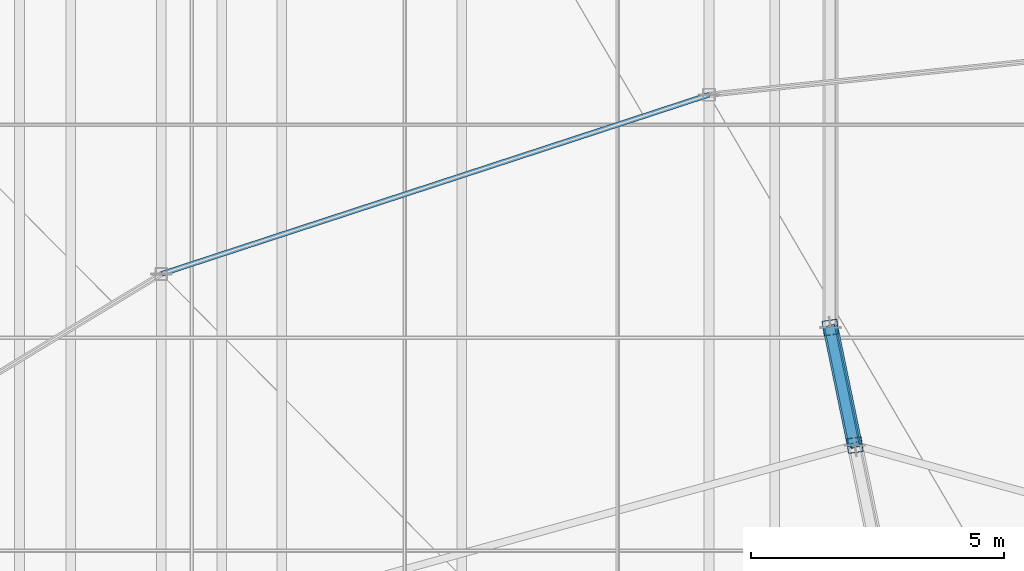
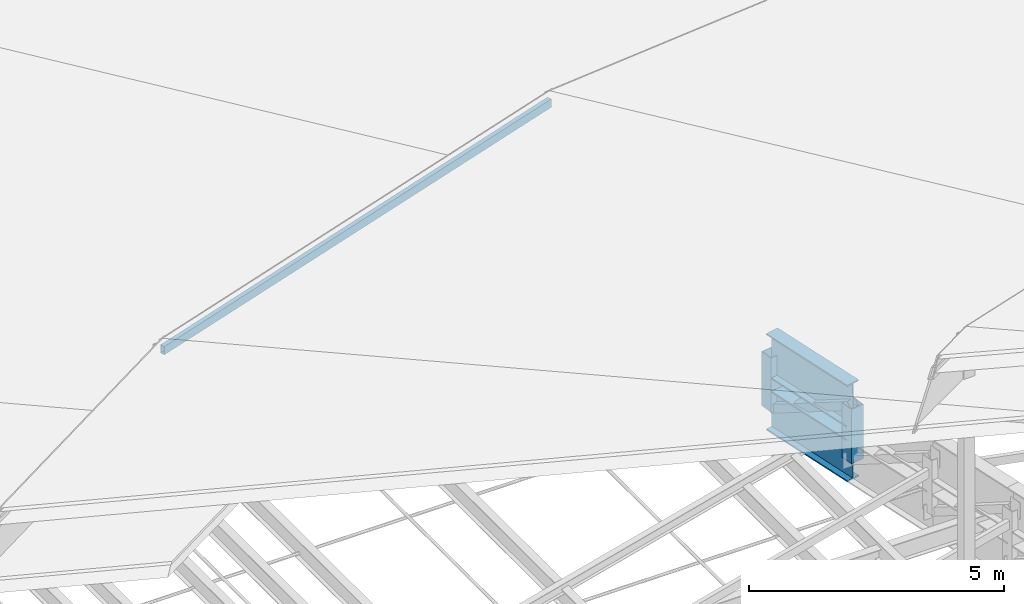
# One storey, part 114 of 184: 4 members, 2 beams.
"""IFC4 building model written with IfcOpenShell, lengths in metres."""

from ifc_helpers import new_model, si_unit, direction, frame, origin, origin_2d, place, context, subcontext, project, spatial, hollow_rectangle, i_section, extrude, material, material_profile, profile_set, type_object, element, save


model = new_model("IFC4")

# Units and contexts
model_context = context("Model", 3, precision=1e-05, world=origin(), true_north=direction((0.0, 1.0)))
body_context = subcontext(model_context, "Body", "Model", "MODEL_VIEW")
ifc_project = project(units=[si_unit("LENGTHUNIT", "METRE"), si_unit("AREAUNIT", "SQUARE_METRE"), si_unit("VOLUMEUNIT", "CUBIC_METRE"), si_unit("PLANEANGLEUNIT", "RADIAN"), si_unit("MASSUNIT", "GRAM", prefix="KILO")], contexts=[model_context])

# Site, building, storey
site_placement = place(None, origin())
site = spatial("IfcSite", under=ifc_project, at=site_placement, CompositionType="ELEMENT")
building_placement = place(site_placement, origin())
building = spatial("IfcBuilding", under=site, at=building_placement, Name="Kalgoora Escarpment Arena", CompositionType="ELEMENT")
storey_placement = place(building_placement, frame((0.0, 0.0, 27.60009765625)))
storey = spatial("IfcBuildingStorey", under=building, at=storey_placement, Name="Roof Level", CompositionType="ELEMENT", Elevation=27.60009765625)

# Beams
ifc_material_1 = material(Name="Structural steel Grade 350 (350 MPa)", Category="steel")
ifc_material_profile_1 = material_profile(ifc_material_1, i_section(OverallWidth=0.300048828125, OverallDepth=1.010009765625, WebThickness=0.01611328125, FlangeThickness=0.030029296875, at=origin_2d()))
ifc_profile_set_1 = profile_set([ifc_material_profile_1], Name="Structural steel Grade 350 (350 MPa)")
beam_type = type_object("IfcBeamType", Name="BM-TRUSS-CHORD", PredefinedType="USERDEFINED", material=ifc_profile_set_1)
for number, where, z_axis, x_axis, name in (
    (1, (92.397705078125, 93.61181640625, -1.650146484375), (0.202507307037, -0.979278408187, 0.002142394684), (0.979280655568, 0.202507771779, 0.0), "Radial ROOF TRUSS spine 3 bottom chord 2"),
    (2, (92.397705078125, 93.61181640625, -0.35009765625), (0.202506000299, -0.979272089104, 0.004182743583), (0.979280655568, 0.202507771779, 0.0), "Radial ROOF TRUSS spine 3 top chord 2"),
):
    element("IfcBeam", number, at=place(storey_placement, frame(where, z_axis=z_axis, x_axis=x_axis)), inside=storey, type_object=beam_type, Name=name, ObjectType="GIRDER", PredefinedType="USERDEFINED", context=body_context, shape_type="SweptSolid", body=[
        extrude(i_section(OverallWidth=0.300048828125, OverallDepth=1.010009765625, WebThickness=0.01611328125, FlangeThickness=0.030029296875, at=origin_2d()), origin(), (0.0, 0.0, 1.0), 2.39306640625),
    ])

# Members
ifc_material_2 = material(Name="Structural steel C350 (350 MPa)", Category="steel")
ifc_material_profile_2 = material_profile(ifc_material_2, hollow_rectangle(XDim=0.10009765625, YDim=0.199951171875, WallThickness=0.009033203125, at=origin_2d()))
ifc_profile_set_2 = profile_set([ifc_material_profile_2], Name="Structural steel C350 (350 MPa)")
member_type_1 = type_object("IfcMemberType", Name="MEM-PURLIN-RHS", PredefinedType="PURLIN", material=ifc_profile_set_2)
member_1_placement = place(storey_placement, frame((90.0048828125, 98.19384765625, 3.684814453125), z_axis=(-0.950385124824, -0.311075737583, 0.0), x_axis=(0.311075737583, -0.950385124824, 0.0)))
element("IfcMember", 3, at=member_1_placement, inside=storey, type_object=member_type_1, Name="Petal RP3 eave support ring purlin S08", PredefinedType="PURLIN", context=body_context, shape_type="SweptSolid", body=[
    extrude(hollow_rectangle(XDim=0.10009765625, YDim=0.199951171875, WallThickness=0.009033203125, at=origin_2d()), origin(), (0.0, 0.0, 1.0), 11.368896484375),
])
ifc_material_3 = material(Name="Structural steel C350 (350 MPa)", Category="steel")
ifc_material_profile_3 = material_profile(ifc_material_3, hollow_rectangle(XDim=0.199951171875, YDim=0.199951171875, WallThickness=0.009033203125, at=origin_2d()))
ifc_profile_set_3 = profile_set([ifc_material_profile_3], Name="Structural steel C350 (350 MPa)")
member_type_2 = type_object("IfcMemberType", Name="MEM-TRUSS-DIAG", PredefinedType="BRACE", material=ifc_profile_set_3)
member_2_placement = place(storey_placement, frame((92.39990234375, 93.60009765625, -1.650146484375), z_axis=(0.177292668517, -0.856974684088, 0.483902573379), x_axis=(0.235536506809, -0.440455034487, -0.866326680044)))
element("IfcMember", 4, at=member_2_placement, inside=storey, type_object=member_type_2, Name="Radial ROOF TRUSS spine 3 web diagonal 2", PredefinedType="BRACE", context=body_context, shape_type="SweptSolid", body=[
    extrude(hollow_rectangle(XDim=0.199951171875, YDim=0.199951171875, WallThickness=0.009033203125, at=origin_2d()), origin(), (0.0, 0.0, 1.0), 2.707275390625),
])
ifc_material_4 = material(Name="Structural steel C450 (450 MPa)", Category="steel")
ifc_material_profile_4 = material_profile(ifc_material_4, hollow_rectangle(XDim=0.300048828125, YDim=0.300048828125, WallThickness=0.012451171875, at=origin_2d()))
ifc_profile_set_4 = profile_set([ifc_material_profile_4], Name="Structural steel C450 (450 MPa)")
member_type_3 = type_object("IfcMemberType", Name="MEM-TRUSS-POST", PredefinedType="POST", material=ifc_profile_set_4)
member_3_placement = place(storey_placement, frame((92.39990234375, 93.60009765625, -1.650146484375), z_axis=(0.0, 0.0, 1.0), x_axis=(0.141419587774, -0.989949746297, 0.0)))
element("IfcMember", 5, at=member_3_placement, inside=storey, type_object=member_type_3, Name="Radial ROOF TRUSS spine 3 post 1", PredefinedType="POST", context=body_context, shape_type="SweptSolid", body=[
    extrude(hollow_rectangle(XDim=0.300048828125, YDim=0.300048828125, WallThickness=0.012451171875, at=origin_2d()), origin(), (0.0, 0.0, 1.0), 1.300048828125),
])
member_4_placement = place(storey_placement, frame((92.8798828125, 91.280029296875, -1.64501953125), z_axis=(0.0, 0.0, 1.0), x_axis=(0.141419587774, -0.989949746297, 0.0)))
element("IfcMember", 6, at=member_4_placement, inside=storey, type_object=member_type_3, Name="Radial ROOF TRUSS spine 3 post 2", PredefinedType="POST", context=body_context, shape_type="SweptSolid", body=[
    extrude(hollow_rectangle(XDim=0.300048828125, YDim=0.300048828125, WallThickness=0.012451171875, at=origin_2d()), origin(), (0.0, 0.0, 1.0), 1.304931640625),
])

save(model, "model.ifc")
